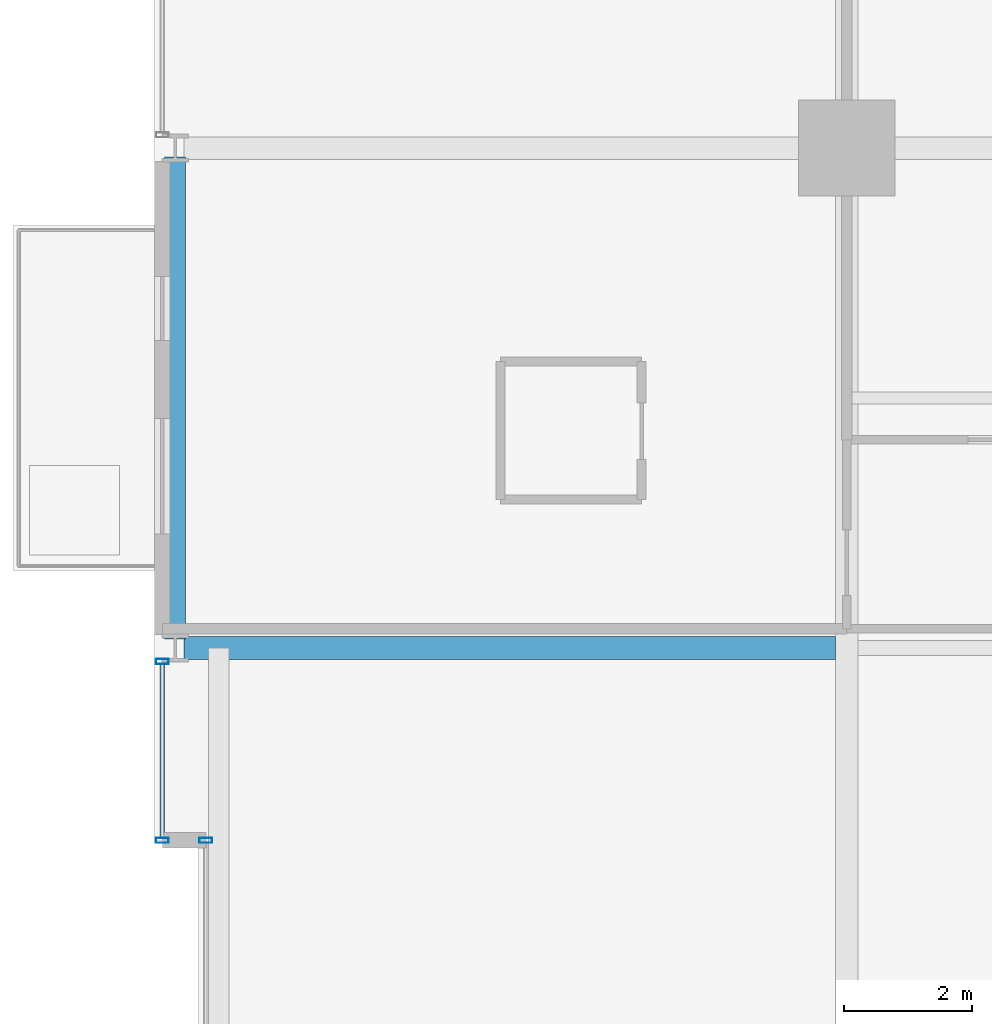
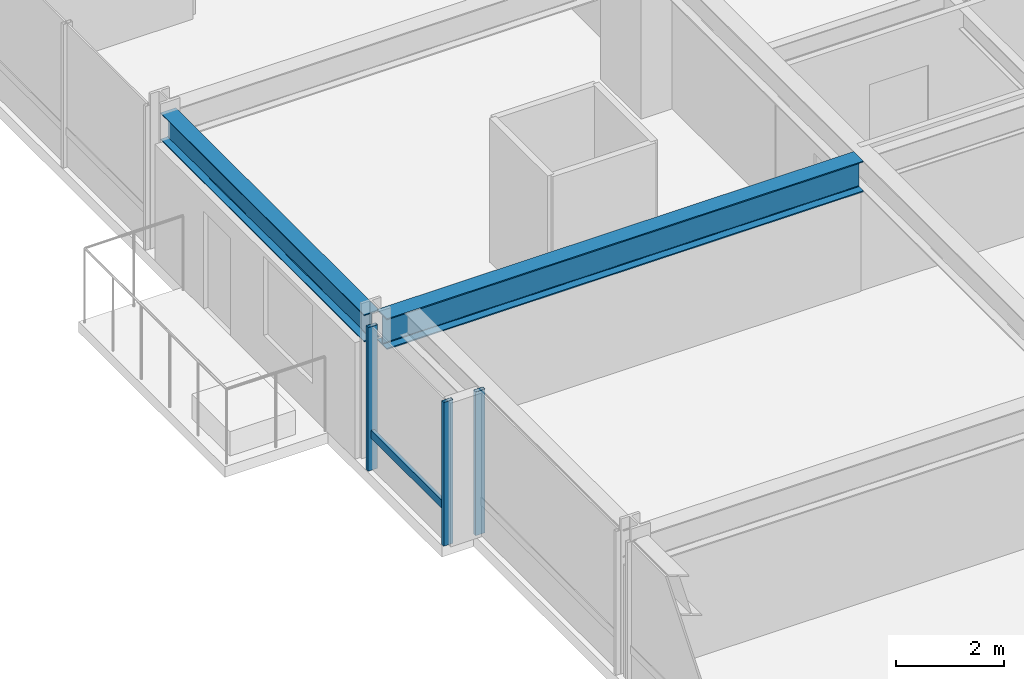
# One storey, part 16 of 34: 4 members, 2 beams, 2 elements without a shape of their own.
"""IFC4 building model written with IfcOpenShell, lengths in metres."""

import ifcopenshell
import ifcopenshell.guid

model = None  # the IFC model being written
_history = None  # IfcOwnerHistory: only IFC2X3 demands one
_inside = {}  # id of a spatial element -> (the spatial element, [elements in it])
_under = {}  # id of a project, library or spatial element -> (it, [spatial elements below it])
_declared = {}  # id of a project -> (the project, [libraries it declares])
_typed = {}  # id of a type object -> (the type object, [elements of that type])
_made_of = {}  # id of a material, layer set ... -> (it, [elements and type objects made of it])


def new_model(schema):
    """Start an empty IFC model of exactly this schema.

    Asked for "IFC4X3", IfcOpenShell would pick the latest addendum, in which some entities
    have other attributes; the version numbers below select the first issue.
    IFC2X3 requires an IfcOwnerHistory on every rooted entity: one is made here for all.
    """
    global model, _history
    if schema == "IFC4X3":
        model = ifcopenshell.file(schema_version=(4, 3, 0, 0))
    else:
        model = ifcopenshell.file(schema=schema)
    _inside.clear()
    _under.clear()
    _declared.clear()
    _typed.clear()
    _made_of.clear()
    _history = None
    if model.schema == "IFC2X3":
        org = make("IfcOrganization", Name="unknown")
        user = make(
            "IfcPersonAndOrganization",
            ThePerson=make("IfcPerson", FamilyName="unknown"),
            TheOrganization=org,
        )
        app = make(
            "IfcApplication",
            ApplicationDeveloper=org,
            Version="unknown",
            ApplicationFullName="unknown",
            ApplicationIdentifier="unknown",
        )
        _history = make(
            "IfcOwnerHistory",
            OwningUser=user,
            OwningApplication=app,
            ChangeAction="ADDED",
            CreationDate=0,
        )
    return model


def make(cls, **values):
    """One entity of the class cls with the attributes given. An attribute that is None is left unset."""
    return model.create_entity(
        cls, **{name: value for name, value in values.items() if value is not None}
    )


def rooted(cls, **values):
    """An entity with a GlobalId (a new one), such as an element, a storey or a relation."""
    return make(cls, GlobalId=ifcopenshell.guid.new(), OwnerHistory=_history, **values)


def si_unit(unit_type, name, prefix=None):
    """IfcSIUnit, for example si_unit("LENGTHUNIT", "METRE", prefix="MILLI")."""
    return make("IfcSIUnit", UnitType=unit_type, Prefix=prefix, Name=name)


def assignment(units):
    """IfcUnitAssignment: the units of a project."""
    return None if units is None else make("IfcUnitAssignment", Units=units)


def point(xyz):
    """IfcCartesianPoint."""
    return None if xyz is None else make("IfcCartesianPoint", Coordinates=xyz)


def direction(xyz):
    """IfcDirection."""
    return None if xyz is None else make("IfcDirection", DirectionRatios=xyz)


def frame(location, z_axis=None, x_axis=None):
    """IfcAxis2Placement3D, a coordinate frame: its origin and axes. An axis left out is left unset."""
    return make(
        "IfcAxis2Placement3D",
        Location=point(location),
        Axis=direction(z_axis),
        RefDirection=direction(x_axis),
    )


def frame_2d(location, x_axis=None):
    """IfcAxis2Placement2D, a coordinate frame in the plane: its origin and x axis."""
    return make(
        "IfcAxis2Placement2D", Location=point(location), RefDirection=direction(x_axis)
    )


def origin():
    """The frame at (0, 0, 0) with its axes left unset."""
    return frame((0.0, 0.0, 0.0))


def origin_2d():
    """The frame at (0, 0) in the plane with its x axis left unset."""
    return frame_2d((0.0, 0.0))


def place(relative_to, where):
    """IfcLocalPlacement: puts the frame where relative to a parent placement (None: the world)."""
    return make(
        "IfcLocalPlacement", PlacementRelTo=relative_to, RelativePlacement=where
    )


def context(
    kind, dimensions, precision=None, world=None, true_north=None, identifier=None
):
    """IfcGeometricRepresentationContext, for example the 3D "Model" context."""
    return make(
        "IfcGeometricRepresentationContext",
        ContextIdentifier=identifier,
        ContextType=kind,
        CoordinateSpaceDimension=dimensions,
        Precision=precision,
        WorldCoordinateSystem=world,
        TrueNorth=true_north,
    )


def subcontext(parent, identifier, kind, view, scale=None):
    """IfcGeometricRepresentationSubContext, for example "Body" below "Model"."""
    return make(
        "IfcGeometricRepresentationSubContext",
        ContextIdentifier=identifier,
        ContextType=kind,
        ParentContext=parent,
        TargetScale=scale,
        TargetView=view,
    )


def project(units=None, contexts=None):
    """IfcProject with its units and contexts."""
    return rooted(
        "IfcProject",
        Name="project",
        RepresentationContexts=contexts,
        UnitsInContext=assignment(units),
    )


def spatial(cls, under=None, at=None, **own):
    """A site, building, storey or space (cls), placed at a placement, below another one or the project."""
    s = rooted(cls, ObjectPlacement=at, **own)
    if under is not None:
        _under.setdefault(under.id(), (under, []))[1].append(s)
    return s


def profile(cls, at=None, kind="AREA", **sizes):
    """A parametric profile (cls). Its sizes go by their IFC names, for example OverallWidth=200.0."""
    return make(cls, ProfileType=kind, Position=at, **sizes)


def hollow_rectangle(**sizes):
    """IfcRectangleHollowProfileDef."""
    return profile("IfcRectangleHollowProfileDef", **sizes)


def i_section(**sizes):
    """IfcIShapeProfileDef."""
    return profile("IfcIShapeProfileDef", **sizes)


def extrude(swept, where, along, depth):
    """IfcExtrudedAreaSolid: the profile swept, set in the frame where, extruded along a direction by depth."""
    return make(
        "IfcExtrudedAreaSolid",
        SweptArea=swept,
        Position=where,
        ExtrudedDirection=direction(along),
        Depth=depth,
    )


def shape(context_of_items, identifier, shape_type, items):
    """IfcShapeRepresentation: the items that make up one representation, for example the "Body"."""
    return make(
        "IfcShapeRepresentation",
        ContextOfItems=context_of_items,
        RepresentationIdentifier=identifier,
        RepresentationType=shape_type,
        Items=items,
    )


def material(Name=None, Category=None):
    """IfcMaterial."""
    return make("IfcMaterial", Name=Name, Category=Category)


def layer(
    of_material, thickness, ventilated=None, Name=None, Category=None, Priority=None
):
    """IfcMaterialLayer: one layer of a wall or slab, of a material (None: an air gap)."""
    return make(
        "IfcMaterialLayer",
        Material=of_material,
        LayerThickness=thickness,
        IsVentilated=ventilated,
        Name=Name,
        Category=Category,
        Priority=Priority,
    )


def layer_set(layers, Name=None):
    """IfcMaterialLayerSet."""
    return make("IfcMaterialLayerSet", MaterialLayers=layers, LayerSetName=Name)


def material_profile(
    of_material, cross_section, Name=None, Category=None, Priority=None
):
    """IfcMaterialProfile: a cross section and its material."""
    return make(
        "IfcMaterialProfile",
        Name=Name,
        Material=of_material,
        Profile=cross_section,
        Priority=Priority,
        Category=Category,
    )


def profile_set(profiles, Name=None, composite=None):
    """IfcMaterialProfileSet."""
    return make(
        "IfcMaterialProfileSet",
        Name=Name,
        MaterialProfiles=profiles,
        CompositeProfile=composite,
    )


def made_of(thing, what):
    """Note that an element or type object is made of a material, layer set ...; save() writes the relation."""
    if what is not None:
        _made_of.setdefault(what.id(), (what, []))[1].append(thing)
    return thing


def type_object(cls, material=None, **own):
    """A type object (cls), such as IfcWallType, which elements share."""
    return made_of(rooted(cls, **own), material)


def element(
    cls,
    number,
    at=None,
    inside=None,
    cuts=None,
    type_object=None,
    material=None,
    context=None,
    identifier="Body",
    shape_type=None,
    held_by="IfcProductDefinitionShape",
    body=None,
    shapes=None,
    **own,
):
    """One element of the class cls, such as IfcWall. Its Tag is "e" and its number.

    at: its placement. inside: the storey or other place that contains it. cuts: it is an
    opening in that element (IfcRelVoidsElement). A single representation is given by context,
    identifier, shape_type and body (its items); several are given by shapes. held_by: the class
    of the entity that holds the representations. save() writes the other relations.
    """
    e = rooted(cls, Tag="e%d" % number, ObjectPlacement=at, **own)
    if body is not None:
        shapes = [shape(context, identifier, shape_type, body)]
    if shapes is not None:
        e.Representation = make(held_by, Representations=shapes)
    if inside is not None:
        _inside.setdefault(inside.id(), (inside, []))[1].append(e)
    if cuts is not None:
        rooted(
            "IfcRelVoidsElement", RelatingBuildingElement=cuts, RelatedOpeningElement=e
        )
    if type_object is not None:
        _typed.setdefault(type_object.id(), (type_object, []))[1].append(e)
    return made_of(e, material)


def aggregate(whole, parts):
    """IfcRelAggregates: a whole, such as a stair, and the parts it consists of."""
    return rooted("IfcRelAggregates", RelatingObject=whole, RelatedObjects=parts)


def save(model, path):
    """Write the relations noted so far, then the file.

    IfcRelAggregates (storeys below a building ...), IfcRelContainedInSpatialStructure (elements
    in a storey), IfcRelDefinesByType, IfcRelAssociatesMaterial and IfcRelDeclares: one each for
    every whole, place, type object, material and project.
    """
    for whole, parts in _under.values():
        aggregate(whole, parts)
    for where, things in _inside.values():
        rooted(
            "IfcRelContainedInSpatialStructure",
            RelatedElements=things,
            RelatingStructure=where,
        )
    for kind, things in _typed.values():
        rooted("IfcRelDefinesByType", RelatedObjects=things, RelatingType=kind)
    for what, things in _made_of.values():
        rooted("IfcRelAssociatesMaterial", RelatedObjects=things, RelatingMaterial=what)
    for by, libraries in _declared.values():
        rooted("IfcRelDeclares", RelatingContext=by, RelatedDefinitions=libraries)
    model.write(path)


model = new_model("IFC4")

# Units and contexts
model_context = context("Model", 3, precision=1e-05, world=origin(), true_north=direction((0.0, 1.0)))
body_context = subcontext(model_context, "Body", "Model", "MODEL_VIEW")
ifc_project = project(units=[si_unit("LENGTHUNIT", "METRE"), si_unit("AREAUNIT", "SQUARE_METRE"), si_unit("VOLUMEUNIT", "CUBIC_METRE"), si_unit("PLANEANGLEUNIT", "RADIAN"), si_unit("MASSUNIT", "GRAM", prefix="KILO")], contexts=[model_context])

# Site, building, storey
site_placement = place(None, origin())
site = spatial("IfcSite", under=ifc_project, at=site_placement, CompositionType="ELEMENT")
building_placement = place(site_placement, origin())
building = spatial("IfcBuilding", under=site, at=building_placement, Name="Drelvath Grand Hotel", CompositionType="ELEMENT")
storey_placement = place(building_placement, frame((0.0, 0.0, 126.800048828125)))
storey = spatial("IfcBuildingStorey", under=building, at=storey_placement, Name="L32", CompositionType="ELEMENT", Elevation=126.800048828125)

# Curtain wall, member
ifc_material_1 = material(Name="Champagne Bronze Anodised Aluminium Frame", Category="aluminium")
ifc_layer = layer(ifc_material_1, 0.199951171875)
ifc_layer_set = layer_set([ifc_layer], Name="Champagne Bronze Anodised Aluminium Frame")
curtain_wall_type = type_object("IfcCurtainWallType", Name="Stick Curtain Wall CW-03 Champagne Bronze Mid-Rise", PredefinedType="NOTDEFINED", material=ifc_layer_set)
curtain_wall_1_placement = place(storey_placement, origin())
curtain_wall_1 = element("IfcCurtainWall", 1, at=curtain_wall_1_placement, inside=storey, type_object=curtain_wall_type, Name="L32 CW-03 Curtain Wall CW03-L32-WN1", PredefinedType="NOTDEFINED")
ifc_material_profile_1 = material_profile(ifc_material_1, hollow_rectangle(XDim=0.074951171875, YDim=0.179931640625, WallThickness=0.0048828125, at=origin_2d()), Name="HSS180X75X5")
ifc_profile_set_1 = profile_set([ifc_material_profile_1], Name="Champagne Bronze Anodised Aluminium Frame")
member_type_1 = type_object("IfcMemberType", Name="Curtain Wall Horizontal Transom CW-03 HSS180X75X5", PredefinedType="USERDEFINED", material=ifc_profile_set_1)
member_1_placement = place(storey_placement, frame((-26.8798828125, 32.43994140625, 0.81005859375), z_axis=(0.0, 1.0, 0.0), x_axis=(-1.0, 0.0, 0.0)))
member_1 = element("IfcMember", 2, at=member_1_placement, type_object=member_type_1, Name="CW03-L32-WN1 Sill Transom", ObjectType="TRANSOM", PredefinedType="USERDEFINED", context=body_context, shape_type="SweptSolid", body=[
    extrude(hollow_rectangle(XDim=0.074951171875, YDim=0.179931640625, WallThickness=0.0048828125, at=origin_2d()), origin(), (0.0, 0.0, 1.0), 2.710693359375),
])

curtain_wall_2_placement = place(storey_placement, origin())
curtain_wall_2 = element("IfcCurtainWall", 3, at=curtain_wall_2_placement, inside=storey, type_object=curtain_wall_type, Name="L32 CW-03 Curtain Wall CW03-L32-WM2", PredefinedType="NOTDEFINED")
ifc_material_profile_2 = material_profile(ifc_material_1, hollow_rectangle(XDim=0.080078125, YDim=0.199951171875, WallThickness=0.0048828125, at=origin_2d()), Name="HSS200X80X5")
ifc_profile_set_2 = profile_set([ifc_material_profile_2], Name="Champagne Bronze Anodised Aluminium Frame")
member_type_2 = type_object("IfcMemberType", Name="Curtain Wall Vertical Mullion CW-03 HSS200X80X5", PredefinedType="MULLION", material=ifc_profile_set_2)
member_2_placement = place(storey_placement, frame((-26.199951171875, 32.39990234375, 0.0), z_axis=(0.0, 0.0, 1.0), x_axis=(0.0, 1.0, 0.0)))
member_2 = element("IfcMember", 4, at=member_2_placement, type_object=member_type_2, Name="CW03-L32-WM2 Mullion 2", PredefinedType="MULLION", context=body_context, shape_type="SweptSolid", body=[
    extrude(hollow_rectangle(XDim=0.080078125, YDim=0.199951171875, WallThickness=0.0048828125, at=origin_2d()), origin(), (0.0, 0.0, 1.0), 3.239990234375),
])
aggregate(curtain_wall_2, [member_2])

# Member
member_3_placement = place(storey_placement, frame((-26.8798828125, 32.39990234375, 0.0), z_axis=(0.0, 0.0, 1.0), x_axis=(0.0, 1.0, 0.0)))
member_3 = element("IfcMember", 5, at=member_3_placement, type_object=member_type_2, Name="CW03-L32-WN1 Mullion 1", PredefinedType="MULLION", context=body_context, shape_type="SweptSolid", body=[
    extrude(hollow_rectangle(XDim=0.080078125, YDim=0.199951171875, WallThickness=0.0048828125, at=origin_2d()), origin(), (0.0, 0.0, 1.0), 3.239990234375),
])

member_4_placement = place(storey_placement, frame((-26.8798828125, 35.190673828125, 0.0), z_axis=(0.0, 0.0, 1.0), x_axis=(0.0, 1.0, 0.0)))
member_4 = element("IfcMember", 6, at=member_4_placement, type_object=member_type_2, Name="CW03-L32-WN1 Mullion 2", PredefinedType="MULLION", context=body_context, shape_type="SweptSolid", body=[
    extrude(hollow_rectangle(XDim=0.080078125, YDim=0.199951171875, WallThickness=0.0048828125, at=origin_2d()), origin(), (0.0, 0.0, 1.0), 3.239990234375),
])

aggregate(curtain_wall_1, [member_3, member_4, member_1])

# Beams
ifc_material_2 = material(Name="Steel ASTM A992 Gr 50", Category="steel")
ifc_material_profile_3 = material_profile(ifc_material_2, i_section(OverallWidth=0.323974609375, OverallDepth=0.611083984375, WebThickness=0.0126953125, FlangeThickness=0.01904296875, FilletRadius=0.02197265625, at=origin_2d()), Name="W24X104")
ifc_profile_set_3 = profile_set([ifc_material_profile_3], Name="Steel ASTM A992 Gr 50")
beam_type_1 = type_object("IfcBeamType", Name="Perimeter Spandrel Beam W24X104", PredefinedType="SPANDREL", material=ifc_profile_set_3)
beam_1_placement = place(storey_placement, frame((-26.679931640625, 35.5400390625, 2.934326171875), z_axis=(0.0, 1.0, 0.0), x_axis=(-1.0, 0.0, 0.0)))
element("IfcBeam", 7, at=beam_1_placement, inside=storey, type_object=beam_type_1, Name="L32 Spandrel West N", PredefinedType="SPANDREL", context=body_context, shape_type="SweptSolid", body=[
    extrude(i_section(OverallWidth=0.323974609375, OverallDepth=0.611083984375, WebThickness=0.0126953125, FlangeThickness=0.01904296875, FilletRadius=0.02197265625, at=origin_2d()), origin(), (0.0, 0.0, 1.0), 7.52001953125),
])
ifc_material_profile_4 = material_profile(ifc_material_2, i_section(OverallWidth=0.354736328125, OverallDepth=0.695556640625, WebThickness=0.015380859375, FlangeThickness=0.025146484375, FilletRadius=0.02392578125, at=origin_2d()), Name="W27X146")
ifc_profile_set_4 = profile_set([ifc_material_profile_4], Name="Steel ASTM A992 Gr 50")
beam_type_2 = type_object("IfcBeamType", Name="Primary Floor Girder W27X146", PredefinedType="BEAM", material=ifc_profile_set_4)
beam_2_placement = place(storey_placement, frame((-26.5400390625, 35.39990234375, 2.892333984375), z_axis=(1.0, 0.0, 0.0), x_axis=(0.0, 1.0, 0.0)))
element("IfcBeam", 8, at=beam_2_placement, inside=storey, type_object=beam_type_2, Name="L32 West Wing Girder F", PredefinedType="BEAM", context=body_context, shape_type="SweptSolid", body=[
    extrude(i_section(OverallWidth=0.354736328125, OverallDepth=0.695556640625, WebThickness=0.015380859375, FlangeThickness=0.025146484375, FilletRadius=0.02392578125, at=origin_2d()), origin(), (0.0, 0.0, 1.0), 10.16259765625),
])

save(model, "model.ifc")
